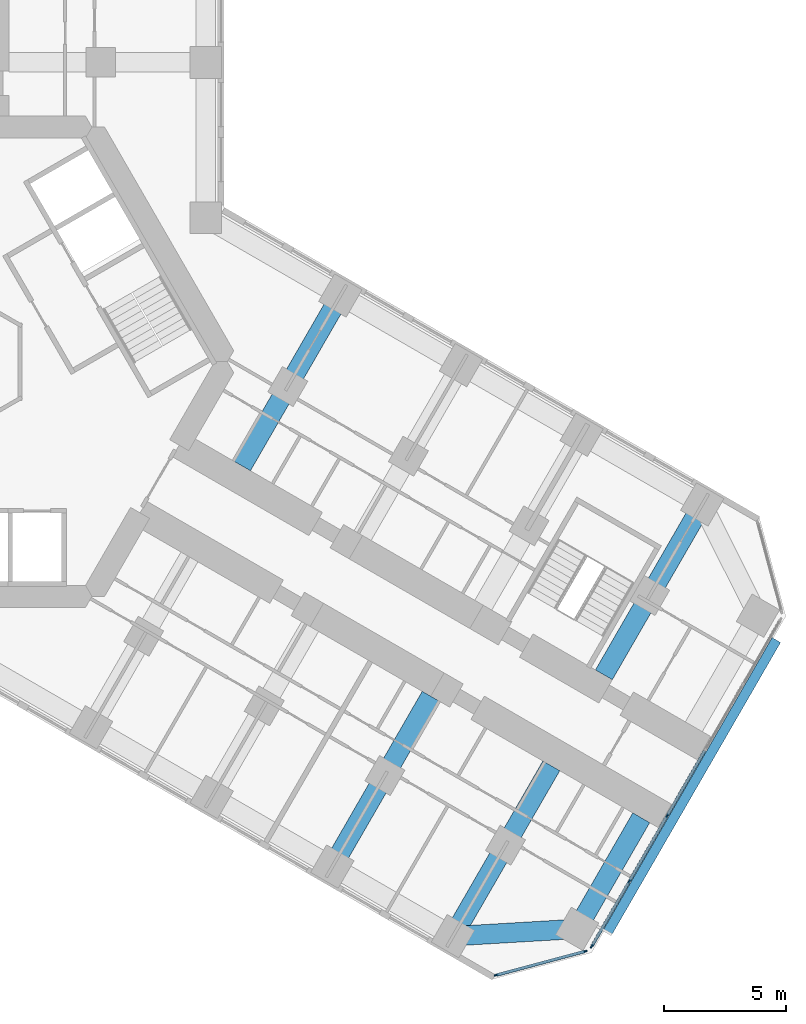
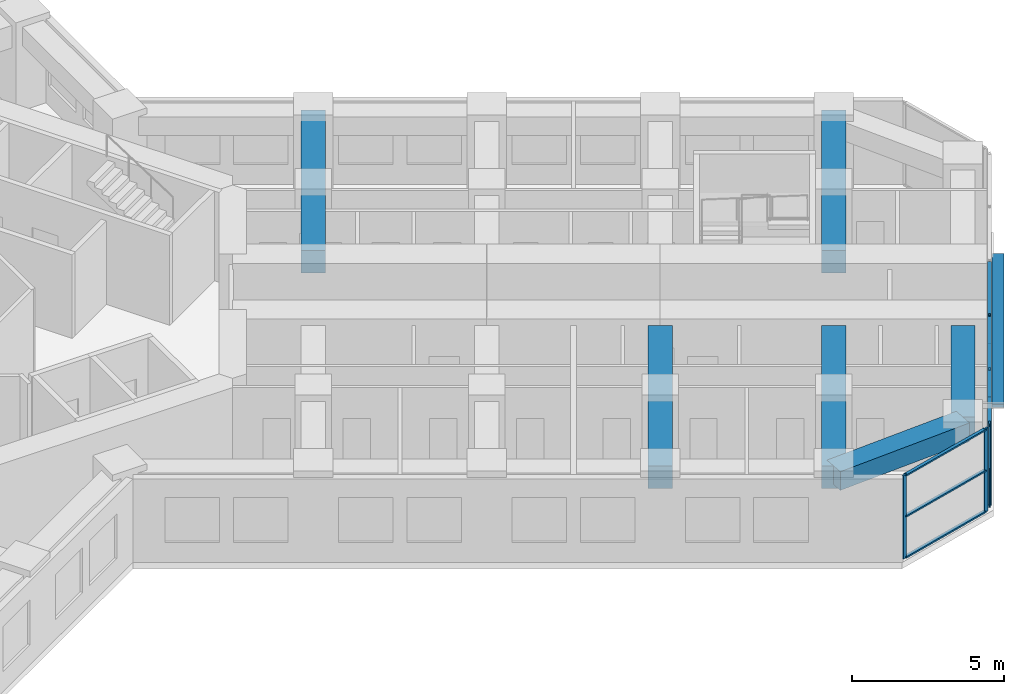
# One storey, part 5 of 19: 15 members, 6 beams, 2 elements without a shape of their own.
"""IFC4 building model written with IfcOpenShell, lengths in metres."""

from ifc_helpers import new_model, si_unit, direction, frame, origin, origin_2d, place, context, subcontext, project, spatial, rectangle, extrude, material, material_profile, profile_set, type_object, element, aggregate, save


model = new_model("IFC4")

# Units and contexts
model_context = context("Model", 3, precision=1e-05, world=origin(), true_north=direction((0.0, 1.0)))
body_context = subcontext(model_context, "Body", "Model", "MODEL_VIEW")
ifc_project = project(units=[si_unit("LENGTHUNIT", "METRE"), si_unit("AREAUNIT", "SQUARE_METRE"), si_unit("VOLUMEUNIT", "CUBIC_METRE"), si_unit("PLANEANGLEUNIT", "RADIAN"), si_unit("MASSUNIT", "GRAM", prefix="KILO")], contexts=[model_context])

# Site, building, storey
site_placement = place(None, origin())
site = spatial("IfcSite", under=ifc_project, at=site_placement, CompositionType="ELEMENT")
building_placement = place(site_placement, origin())
building = spatial("IfcBuilding", under=site, at=building_placement, Name="Kosmar Iwan School Tower", CompositionType="ELEMENT")
storey_placement = place(building_placement, frame((0.0, 0.0, 120.199951171875)))
storey = spatial("IfcBuildingStorey", under=building, at=storey_placement, Name="L29", CompositionType="ELEMENT", Elevation=120.199951171875)

# Member
ifc_material_1 = material(Name="Black anodised aluminium", Category="aluminium")
ifc_material_profile_1 = material_profile(ifc_material_1, rectangle(XDim=0.10009765625, YDim=0.39990234375, at=origin_2d()), Name="FIN 100x400")
ifc_profile_set_1 = profile_set([ifc_material_profile_1], Name="Black anodised aluminium")
member_type_1 = type_object("IfcMemberType", Name="Diagonal fin 100x400", PredefinedType="USERDEFINED", material=ifc_profile_set_1)
member_1_placement = place(storey_placement, frame((33.54345703125, -11.40087890625, -0.14990234375), z_axis=(-0.483795538458, -0.837973939202, 0.252470897702), x_axis=(0.126233699175, 0.218647221293, 0.967604488318)))
element("IfcMember", 1, at=member_1_placement, inside=storey, type_object=member_type_1, Name="Diagonal fin L29-F03", ObjectType="FIN", PredefinedType="USERDEFINED", context=body_context, shape_type="SweptSolid", body=[
    extrude(rectangle(XDim=0.10009765625, YDim=0.39990234375, at=origin_2d()), origin(), (0.0, 0.0, 1.0), 14.258544921875),
])

# Curtain wall, members
ifc_material_2 = material(Name="Dark glass in black aluminium frame", Category="aluminium")
curtain_wall_type = type_object("IfcCurtainWallType", Name="Sky lounge curtain wall", PredefinedType="USERDEFINED", material=ifc_material_2)
curtain_wall_1_placement = place(storey_placement, origin())
curtain_wall_1 = element("IfcCurtainWall", 2, at=curtain_wall_1_placement, inside=storey, type_object=curtain_wall_type, Name="Curtain wall L29-F02", ObjectType="FULL HEIGHT CURTAIN WALL", PredefinedType="USERDEFINED")
ifc_material_3 = material(Name="Black anodised aluminium", Category="aluminium")
ifc_material_profile_2 = material_profile(ifc_material_3, rectangle(XDim=0.06005859375, YDim=0.159912109375, at=origin_2d()), Name="MULLION 60x160")
ifc_profile_set_2 = profile_set([ifc_material_profile_2], Name="Black anodised aluminium")
member_type_2 = type_object("IfcMemberType", Name="Mullion 60x160", PredefinedType="MULLION", material=ifc_profile_set_2)
member_2_placement = place(storey_placement, frame((22.0830078125, -25.102294921875, 0.0), z_axis=(0.0, 0.0, 1.0), x_axis=(-0.258818861462, 0.965925875495, 0.0)))
member_2 = element("IfcMember", 3, at=member_2_placement, type_object=member_type_2, Name="CW6 mullion 1", PredefinedType="MULLION", context=body_context, shape_type="SweptSolid", body=[
    extrude(rectangle(XDim=0.06005859375, YDim=0.159912109375, at=origin_2d()), origin(), (0.0, 0.0, 1.0), 3.35009765625),
])
member_3_placement = place(storey_placement, frame((25.733154296875, -24.124267578125, 0.0), z_axis=(0.0, 0.0, 1.0), x_axis=(-0.258818861462, 0.965925875495, 0.0)))
member_3 = element("IfcMember", 4, at=member_3_placement, type_object=member_type_2, Name="CW6 mullion 2", PredefinedType="MULLION", context=body_context, shape_type="SweptSolid", body=[
    extrude(rectangle(XDim=0.06005859375, YDim=0.159912109375, at=origin_2d()), origin(), (0.0, 0.0, 1.0), 3.35009765625),
])

curtain_wall_2_placement = place(storey_placement, origin())
curtain_wall_2 = element("IfcCurtainWall", 5, at=curtain_wall_2_placement, inside=storey, type_object=curtain_wall_type, Name="Curtain wall L29-F03", ObjectType="FULL HEIGHT CURTAIN WALL", PredefinedType="USERDEFINED")
member_4_placement = place(storey_placement, frame((25.9970703125, -23.921630859375, 0.0), z_axis=(0.0, 0.0, 1.0), x_axis=(-0.866025405329, 0.499999997325, 0.0)))
member_4 = element("IfcMember", 6, at=member_4_placement, type_object=member_type_2, Name="CW6 mullion 1", PredefinedType="MULLION", context=body_context, shape_type="SweptSolid", body=[
    extrude(rectangle(XDim=0.06005859375, YDim=0.159912109375, at=origin_2d()), origin(), (0.0, 0.0, 1.0), 3.35009765625),
])
member_5_placement = place(storey_placement, frame((27.53173828125, -21.263671875, 0.0), z_axis=(0.0, 0.0, 1.0), x_axis=(-0.866025405329, 0.499999997325, 0.0)))
member_5 = element("IfcMember", 7, at=member_5_placement, type_object=member_type_2, Name="CW6 mullion 2", PredefinedType="MULLION", context=body_context, shape_type="SweptSolid", body=[
    extrude(rectangle(XDim=0.06005859375, YDim=0.159912109375, at=origin_2d()), origin(), (0.0, 0.0, 1.0), 3.35009765625),
])
member_6_placement = place(storey_placement, frame((29.081298828125, -18.57958984375, 0.0), z_axis=(0.0, 0.0, 1.0), x_axis=(-0.866025405329, 0.499999997325, 0.0)))
member_6 = element("IfcMember", 8, at=member_6_placement, type_object=member_type_2, Name="CW6 mullion 3", PredefinedType="MULLION", context=body_context, shape_type="SweptSolid", body=[
    extrude(rectangle(XDim=0.06005859375, YDim=0.159912109375, at=origin_2d()), origin(), (0.0, 0.0, 1.0), 3.35009765625),
])

# Beams
ifc_material_4 = material(Name="Concrete C50/60", Category="concrete")
ifc_material_profile_3 = material_profile(ifc_material_4, rectangle(XDim=0.800048828125, YDim=0.75, at=origin_2d()), Name="RC 800x750")
ifc_profile_set_3 = profile_set([ifc_material_profile_3], Name="Concrete C50/60")
beam_type_1 = type_object("IfcBeamType", Name="RC tip beam 800x750", PredefinedType="BEAM", material=ifc_profile_set_3)
beam_1_placement = place(storey_placement, frame((20.31787109375, -23.508544921875, 2.97509765625), z_axis=(0.998260616478, 0.058955420358, 0.0), x_axis=(-0.058955420358, 0.998260616478, 0.0)))
element("IfcBeam", 9, at=beam_1_placement, inside=storey, type_object=beam_type_1, Name="Tip beam CR", PredefinedType="BEAM", context=body_context, shape_type="SweptSolid", body=[
    extrude(rectangle(XDim=0.800048828125, YDim=0.75, at=origin_2d()), origin(), (0.0, 0.0, 1.0), 5.08935546875),
])
beam_2_placement = place(storey_placement, frame((25.3984375, -23.20849609375, 2.97509765625), z_axis=(0.500000207062, 0.866025284237, 0.0), x_axis=(-0.866025284237, 0.500000207062, 0.0)))
element("IfcBeam", 10, at=beam_2_placement, inside=storey, type_object=beam_type_1, Name="Tip beam CR to corridor wall", PredefinedType="BEAM", context=body_context, shape_type="SweptSolid", body=[
    extrude(rectangle(XDim=0.800048828125, YDim=0.75, at=origin_2d()), origin(), (0.0, 0.0, 1.0), 5.25),
])
ifc_material_5 = material(Name="Concrete C50/60", Category="concrete")
ifc_material_profile_4 = material_profile(ifc_material_5, rectangle(XDim=0.800048828125, YDim=0.89990234375, at=origin_2d()), Name="RC 800x900")
ifc_profile_set_4 = profile_set([ifc_material_profile_4], Name="Concrete C50/60")
beam_type_2 = type_object("IfcBeamType", Name="RC transverse beam 800x900", PredefinedType="BEAM", material=ifc_profile_set_4)
for number, where, z_axis, x_axis, name in (
    (11, (15.708740234375, 2.70849609375, 2.900146484375), (-0.49999461055, -0.866028515362, 0.0), (0.866028515362, -0.49999461055, 0.0), "Transverse beam CL1"),
    (12, (30.517822265625, -5.841552734375, 2.900146484375), (-0.49999461055, -0.866028515362, 0.0), (0.866028515362, -0.49999461055, 0.0), "Transverse beam CL4"),
    (13, (15.381591796875, -20.658447265625, 2.900146484375), (0.49999461055, 0.866028515362, 0.0), (-0.866028515362, 0.49999461055, 0.0), "Transverse beam CR3"),
):
    element("IfcBeam", number, at=place(storey_placement, frame(where, z_axis=z_axis, x_axis=x_axis)), inside=storey, type_object=beam_type_2, Name=name, PredefinedType="BEAM", context=body_context, shape_type="SweptSolid", body=[
        extrude(rectangle(XDim=0.800048828125, YDim=0.89990234375, at=origin_2d()), origin(), (0.0, 0.0, 1.0), 8.0498046875),
    ])
beam_3_placement = place(storey_placement, frame((20.31787109375, -23.508544921875, 2.900146484375), z_axis=(0.499981478334, 0.866036097009, 0.0), x_axis=(-0.866036097009, 0.499981478334, 0.0)))
element("IfcBeam", 14, at=beam_3_placement, inside=storey, type_object=beam_type_2, Name="Transverse beam CR4", PredefinedType="BEAM", context=body_context, shape_type="SweptSolid", body=[
    extrude(rectangle(XDim=0.800048828125, YDim=0.89990234375, at=origin_2d()), origin(), (0.0, 0.0, 1.0), 8.050048828125),
])

# Member
ifc_material_6 = material(Name="Black anodised aluminium", Category="aluminium")
ifc_material_profile_5 = material_profile(ifc_material_6, rectangle(XDim=0.1201171875, YDim=0.06005859375, at=origin_2d()), Name="TRANSOM 60x120")
ifc_profile_set_5 = profile_set([ifc_material_profile_5], Name="Black anodised aluminium")
member_type_3 = type_object("IfcMemberType", Name="Transom 60x120", PredefinedType="USERDEFINED", material=ifc_profile_set_5)
member_7_placement = place(storey_placement, frame((22.11181640625, -25.094482421875, 0.030029296875), z_axis=(0.965923731726, 0.258826861991, 0.0), x_axis=(-0.258826861991, 0.965923731726, 0.0)))
member_7 = element("IfcMember", 15, at=member_7_placement, type_object=member_type_3, Name="CW6 transom 1.1", ObjectType="TRANSOM", PredefinedType="USERDEFINED", context=body_context, shape_type="SweptSolid", body=[
    extrude(rectangle(XDim=0.1201171875, YDim=0.06005859375, at=origin_2d()), origin(), (0.0, 0.0, 1.0), 3.71923828125),
])

member_8_placement = place(storey_placement, frame((22.11181640625, -25.094482421875, 1.675048828125), z_axis=(0.965923731726, 0.258826861991, 0.0), x_axis=(-0.258826861991, 0.965923731726, 0.0)))
member_8 = element("IfcMember", 16, at=member_8_placement, type_object=member_type_3, Name="CW6 transom 1.2", ObjectType="TRANSOM", PredefinedType="USERDEFINED", context=body_context, shape_type="SweptSolid", body=[
    extrude(rectangle(XDim=0.1201171875, YDim=0.06005859375, at=origin_2d()), origin(), (0.0, 0.0, 1.0), 3.71923828125),
])

member_9_placement = place(storey_placement, frame((22.11181640625, -25.094482421875, 3.320068359375), z_axis=(0.965923731726, 0.258826861991, 0.0), x_axis=(-0.258826861991, 0.965923731726, 0.0)))
member_9 = element("IfcMember", 17, at=member_9_placement, type_object=member_type_3, Name="CW6 transom 1.3", ObjectType="TRANSOM", PredefinedType="USERDEFINED", context=body_context, shape_type="SweptSolid", body=[
    extrude(rectangle(XDim=0.1201171875, YDim=0.06005859375, at=origin_2d()), origin(), (0.0, 0.0, 1.0), 3.71923828125),
])

aggregate(curtain_wall_1, [member_2, member_3, member_7, member_8, member_9])

member_10_placement = place(storey_placement, frame((26.01220703125, -23.895751953125, 0.030029296875), z_axis=(0.499986971506, 0.866032925658, 0.0), x_axis=(-0.866032925658, 0.499986971506, 0.0)))
member_10 = element("IfcMember", 18, at=member_10_placement, type_object=member_type_3, Name="CW6 transom 1.1", ObjectType="TRANSOM", PredefinedType="USERDEFINED", context=body_context, shape_type="SweptSolid", body=[
    extrude(rectangle(XDim=0.1201171875, YDim=0.06005859375, at=origin_2d()), origin(), (0.0, 0.0, 1.0), 3.00927734375),
])

member_11_placement = place(storey_placement, frame((26.01220703125, -23.895751953125, 3.320068359375), z_axis=(0.499986971506, 0.866032925658, 0.0), x_axis=(-0.866032925658, 0.499986971506, 0.0)))
member_11 = element("IfcMember", 19, at=member_11_placement, type_object=member_type_3, Name="CW6 transom 1.2", ObjectType="TRANSOM", PredefinedType="USERDEFINED", context=body_context, shape_type="SweptSolid", body=[
    extrude(rectangle(XDim=0.1201171875, YDim=0.06005859375, at=origin_2d()), origin(), (0.0, 0.0, 1.0), 3.00927734375),
])

member_12_placement = place(storey_placement, frame((27.546875, -21.237548828125, 0.030029296875), z_axis=(0.499975102327, 0.866039777986, 0.0), x_axis=(-0.866039777986, 0.499975102327, 0.0)))
member_12 = element("IfcMember", 20, at=member_12_placement, type_object=member_type_3, Name="CW6 transom 2.1", ObjectType="TRANSOM", PredefinedType="USERDEFINED", context=body_context, shape_type="SweptSolid", body=[
    extrude(rectangle(XDim=0.1201171875, YDim=0.06005859375, at=origin_2d()), origin(), (0.0, 0.0, 1.0), 3.039306640625),
])

member_13_placement = place(storey_placement, frame((27.546875, -21.237548828125, 3.320068359375), z_axis=(0.499975102327, 0.866039777986, 0.0), x_axis=(-0.866039777986, 0.499975102327, 0.0)))
member_13 = element("IfcMember", 21, at=member_13_placement, type_object=member_type_3, Name="CW6 transom 2.2", ObjectType="TRANSOM", PredefinedType="USERDEFINED", context=body_context, shape_type="SweptSolid", body=[
    extrude(rectangle(XDim=0.1201171875, YDim=0.06005859375, at=origin_2d()), origin(), (0.0, 0.0, 1.0), 3.039306640625),
])

member_14_placement = place(storey_placement, frame((29.096435546875, -18.553466796875, 0.030029296875), z_axis=(0.499975102327, 0.866039777986, 0.0), x_axis=(-0.866039777986, 0.499975102327, 0.0)))
member_14 = element("IfcMember", 22, at=member_14_placement, type_object=member_type_3, Name="CW6 transom 3.1", ObjectType="TRANSOM", PredefinedType="USERDEFINED", context=body_context, shape_type="SweptSolid", body=[
    extrude(rectangle(XDim=0.1201171875, YDim=0.06005859375, at=origin_2d()), origin(), (0.0, 0.0, 1.0), 3.039306640625),
])

member_15_placement = place(storey_placement, frame((29.096435546875, -18.553466796875, 3.320068359375), z_axis=(0.499975102327, 0.866039777986, 0.0), x_axis=(-0.866039777986, 0.499975102327, 0.0)))
member_15 = element("IfcMember", 23, at=member_15_placement, type_object=member_type_3, Name="CW6 transom 3.2", ObjectType="TRANSOM", PredefinedType="USERDEFINED", context=body_context, shape_type="SweptSolid", body=[
    extrude(rectangle(XDim=0.1201171875, YDim=0.06005859375, at=origin_2d()), origin(), (0.0, 0.0, 1.0), 3.039306640625),
])

aggregate(curtain_wall_2, [member_4, member_5, member_6, member_10, member_11, member_12, member_13, member_14, member_15])

save(model, "model.ifc")
